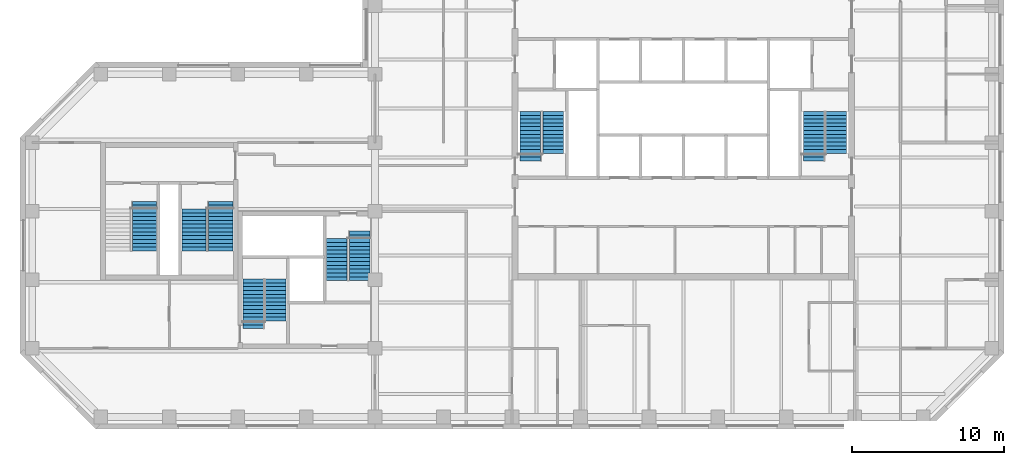
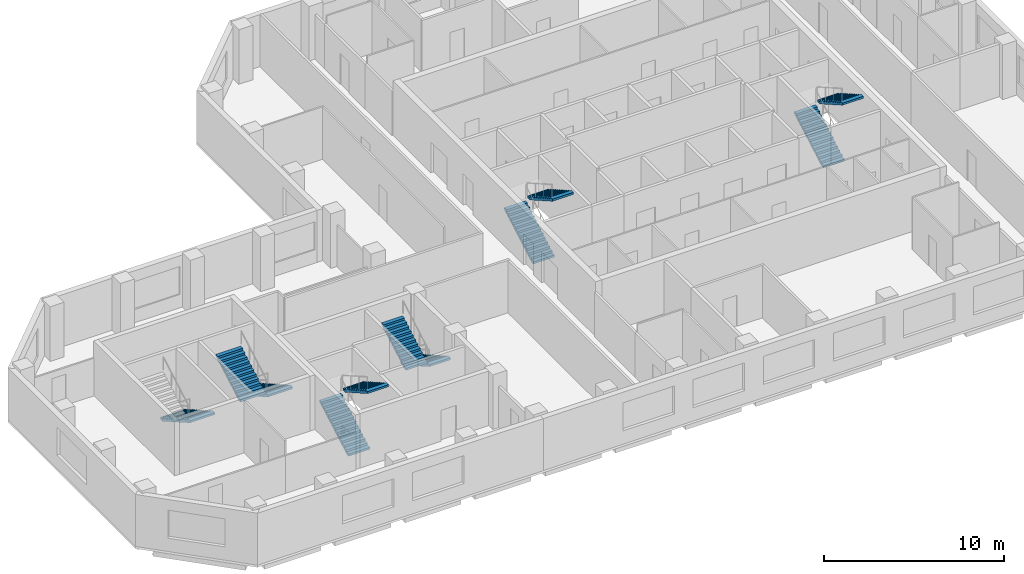
# One storey, part 8 of 9: 11 stair flights, 6 elements without a shape of their own.
"""IFC4 building model written with IfcOpenShell, lengths in metres."""

import ifcopenshell
import ifcopenshell.guid

model = None  # the IFC model being written
_history = None  # IfcOwnerHistory: only IFC2X3 demands one
_inside = {}  # id of a spatial element -> (the spatial element, [elements in it])
_under = {}  # id of a project, library or spatial element -> (it, [spatial elements below it])
_declared = {}  # id of a project -> (the project, [libraries it declares])
_typed = {}  # id of a type object -> (the type object, [elements of that type])
_made_of = {}  # id of a material, layer set ... -> (it, [elements and type objects made of it])


def new_model(schema):
    """Start an empty IFC model of exactly this schema.

    Asked for "IFC4X3", IfcOpenShell would pick the latest addendum, in which some entities
    have other attributes; the version numbers below select the first issue.
    IFC2X3 requires an IfcOwnerHistory on every rooted entity: one is made here for all.
    """
    global model, _history
    if schema == "IFC4X3":
        model = ifcopenshell.file(schema_version=(4, 3, 0, 0))
    else:
        model = ifcopenshell.file(schema=schema)
    _inside.clear()
    _under.clear()
    _declared.clear()
    _typed.clear()
    _made_of.clear()
    _history = None
    if model.schema == "IFC2X3":
        org = make("IfcOrganization", Name="unknown")
        user = make(
            "IfcPersonAndOrganization",
            ThePerson=make("IfcPerson", FamilyName="unknown"),
            TheOrganization=org,
        )
        app = make(
            "IfcApplication",
            ApplicationDeveloper=org,
            Version="unknown",
            ApplicationFullName="unknown",
            ApplicationIdentifier="unknown",
        )
        _history = make(
            "IfcOwnerHistory",
            OwningUser=user,
            OwningApplication=app,
            ChangeAction="ADDED",
            CreationDate=0,
        )
    return model


def make(cls, **values):
    """One entity of the class cls with the attributes given. An attribute that is None is left unset."""
    return model.create_entity(
        cls, **{name: value for name, value in values.items() if value is not None}
    )


def rooted(cls, **values):
    """An entity with a GlobalId (a new one), such as an element, a storey or a relation."""
    return make(cls, GlobalId=ifcopenshell.guid.new(), OwnerHistory=_history, **values)


def si_unit(unit_type, name, prefix=None):
    """IfcSIUnit, for example si_unit("LENGTHUNIT", "METRE", prefix="MILLI")."""
    return make("IfcSIUnit", UnitType=unit_type, Prefix=prefix, Name=name)


def assignment(units):
    """IfcUnitAssignment: the units of a project."""
    return None if units is None else make("IfcUnitAssignment", Units=units)


def point(xyz):
    """IfcCartesianPoint."""
    return None if xyz is None else make("IfcCartesianPoint", Coordinates=xyz)


def direction(xyz):
    """IfcDirection."""
    return None if xyz is None else make("IfcDirection", DirectionRatios=xyz)


def frame(location, z_axis=None, x_axis=None):
    """IfcAxis2Placement3D, a coordinate frame: its origin and axes. An axis left out is left unset."""
    return make(
        "IfcAxis2Placement3D",
        Location=point(location),
        Axis=direction(z_axis),
        RefDirection=direction(x_axis),
    )


def origin():
    """The frame at (0, 0, 0) with its axes left unset."""
    return frame((0.0, 0.0, 0.0))


def place(relative_to, where):
    """IfcLocalPlacement: puts the frame where relative to a parent placement (None: the world)."""
    return make(
        "IfcLocalPlacement", PlacementRelTo=relative_to, RelativePlacement=where
    )


def context(
    kind, dimensions, precision=None, world=None, true_north=None, identifier=None
):
    """IfcGeometricRepresentationContext, for example the 3D "Model" context."""
    return make(
        "IfcGeometricRepresentationContext",
        ContextIdentifier=identifier,
        ContextType=kind,
        CoordinateSpaceDimension=dimensions,
        Precision=precision,
        WorldCoordinateSystem=world,
        TrueNorth=true_north,
    )


def subcontext(parent, identifier, kind, view, scale=None):
    """IfcGeometricRepresentationSubContext, for example "Body" below "Model"."""
    return make(
        "IfcGeometricRepresentationSubContext",
        ContextIdentifier=identifier,
        ContextType=kind,
        ParentContext=parent,
        TargetScale=scale,
        TargetView=view,
    )


def project(units=None, contexts=None):
    """IfcProject with its units and contexts."""
    return rooted(
        "IfcProject",
        Name="project",
        RepresentationContexts=contexts,
        UnitsInContext=assignment(units),
    )


def spatial(cls, under=None, at=None, **own):
    """A site, building, storey or space (cls), placed at a placement, below another one or the project."""
    s = rooted(cls, ObjectPlacement=at, **own)
    if under is not None:
        _under.setdefault(under.id(), (under, []))[1].append(s)
    return s


def polyline(points):
    """IfcPolyline through the points."""
    return make("IfcPolyline", Points=[point(p) for p in points])


def outline(outer, holes=None, kind="AREA"):
    """IfcArbitraryClosedProfileDef: a profile drawn as a closed curve; with holes, ...WithVoids."""
    if holes is None:
        return make("IfcArbitraryClosedProfileDef", ProfileType=kind, OuterCurve=outer)
    return make(
        "IfcArbitraryProfileDefWithVoids",
        ProfileType=kind,
        OuterCurve=outer,
        InnerCurves=holes,
    )


def extrude(swept, where, along, depth):
    """IfcExtrudedAreaSolid: the profile swept, set in the frame where, extruded along a direction by depth."""
    return make(
        "IfcExtrudedAreaSolid",
        SweptArea=swept,
        Position=where,
        ExtrudedDirection=direction(along),
        Depth=depth,
    )


def shape(context_of_items, identifier, shape_type, items):
    """IfcShapeRepresentation: the items that make up one representation, for example the "Body"."""
    return make(
        "IfcShapeRepresentation",
        ContextOfItems=context_of_items,
        RepresentationIdentifier=identifier,
        RepresentationType=shape_type,
        Items=items,
    )


def material(Name=None, Category=None):
    """IfcMaterial."""
    return make("IfcMaterial", Name=Name, Category=Category)


def made_of(thing, what):
    """Note that an element or type object is made of a material, layer set ...; save() writes the relation."""
    if what is not None:
        _made_of.setdefault(what.id(), (what, []))[1].append(thing)
    return thing


def type_object(cls, material=None, **own):
    """A type object (cls), such as IfcWallType, which elements share."""
    return made_of(rooted(cls, **own), material)


def element(
    cls,
    number,
    at=None,
    inside=None,
    cuts=None,
    type_object=None,
    material=None,
    context=None,
    identifier="Body",
    shape_type=None,
    held_by="IfcProductDefinitionShape",
    body=None,
    shapes=None,
    **own,
):
    """One element of the class cls, such as IfcWall. Its Tag is "e" and its number.

    at: its placement. inside: the storey or other place that contains it. cuts: it is an
    opening in that element (IfcRelVoidsElement). A single representation is given by context,
    identifier, shape_type and body (its items); several are given by shapes. held_by: the class
    of the entity that holds the representations. save() writes the other relations.
    """
    e = rooted(cls, Tag="e%d" % number, ObjectPlacement=at, **own)
    if body is not None:
        shapes = [shape(context, identifier, shape_type, body)]
    if shapes is not None:
        e.Representation = make(held_by, Representations=shapes)
    if inside is not None:
        _inside.setdefault(inside.id(), (inside, []))[1].append(e)
    if cuts is not None:
        rooted(
            "IfcRelVoidsElement", RelatingBuildingElement=cuts, RelatedOpeningElement=e
        )
    if type_object is not None:
        _typed.setdefault(type_object.id(), (type_object, []))[1].append(e)
    return made_of(e, material)


def aggregate(whole, parts):
    """IfcRelAggregates: a whole, such as a stair, and the parts it consists of."""
    return rooted("IfcRelAggregates", RelatingObject=whole, RelatedObjects=parts)


def save(model, path):
    """Write the relations noted so far, then the file.

    IfcRelAggregates (storeys below a building ...), IfcRelContainedInSpatialStructure (elements
    in a storey), IfcRelDefinesByType, IfcRelAssociatesMaterial and IfcRelDeclares: one each for
    every whole, place, type object, material and project.
    """
    for whole, parts in _under.values():
        aggregate(whole, parts)
    for where, things in _inside.values():
        rooted(
            "IfcRelContainedInSpatialStructure",
            RelatedElements=things,
            RelatingStructure=where,
        )
    for kind, things in _typed.values():
        rooted("IfcRelDefinesByType", RelatedObjects=things, RelatingType=kind)
    for what, things in _made_of.values():
        rooted("IfcRelAssociatesMaterial", RelatedObjects=things, RelatingMaterial=what)
    for by, libraries in _declared.values():
        rooted("IfcRelDeclares", RelatingContext=by, RelatedDefinitions=libraries)
    model.write(path)


model = new_model("IFC4")

# Units and contexts
model_context = context("Model", 3, precision=1e-05, world=origin(), true_north=direction((0.0, 1.0)))
body_context = subcontext(model_context, "Body", "Model", "MODEL_VIEW")
ifc_project = project(units=[si_unit("LENGTHUNIT", "METRE"), si_unit("AREAUNIT", "SQUARE_METRE"), si_unit("VOLUMEUNIT", "CUBIC_METRE"), si_unit("PLANEANGLEUNIT", "RADIAN"), si_unit("MASSUNIT", "GRAM", prefix="KILO")], contexts=[model_context])

# Site, building, storey
site_placement = place(None, origin())
site = spatial("IfcSite", under=ifc_project, at=site_placement, CompositionType="ELEMENT")
building_placement = place(site_placement, origin())
building = spatial("IfcBuilding", under=site, at=building_placement, Name="Quoin Convention Tower", CompositionType="ELEMENT")
storey_placement = place(building_placement, frame((0.0, 0.0, 223.0)))
storey = spatial("IfcBuildingStorey", under=building, at=storey_placement, Name="L58", CompositionType="ELEMENT", Elevation=223.0)

# Stair, stair flights
ifc_material = material(Name="Concrete C40", Category="concrete")
stair_type_1 = type_object("IfcStairType", Name="Exit stair two-flight 1350", PredefinedType="HALF_TURN_STAIR", material=ifc_material)
stair_1_placement = place(storey_placement, origin())
stair_1 = element("IfcStair", 1, at=stair_1_placement, inside=storey, type_object=stair_type_1, Name="SD1 L58", PredefinedType="HALF_TURN_STAIR")
stair_flight_type_1 = type_object("IfcStairFlightType", Name="Stair flight 1350", PredefinedType="STRAIGHT", material=ifc_material)
stair_flight_1_placement = place(storey_placement, frame((46.199951171875, 57.300048828125, 0.0), z_axis=(0.0, 0.0, 1.0), x_axis=(0.0, 1.0, 0.0)))
stair_flight_1 = element("IfcStairFlight", 2, at=stair_flight_1_placement, type_object=stair_flight_type_1, Name="ST1 flight 1", NumberOfRisers=14, NumberOfTreads=13, PredefinedType="STRAIGHT", RiserHeight=0.142307692, TreadLength=0.25, context=body_context, shape_type="SweptSolid", body=[
    extrude(outline(polyline([(0.0, 0.0), (0.0, 0.142333984375), (0.25, 0.142333984375), (0.25, 0.28466796875), (0.5, 0.28466796875), (0.5, 0.427001953125), (0.75, 0.427001953125), (0.75, 0.5693359375), (1.0, 0.5693359375), (1.0, 0.71142578125), (1.25, 0.71142578125), (1.25, 0.853759765625), (1.5, 0.853759765625), (1.5, 0.99609375), (1.75, 0.99609375), (1.75, 1.138427734375), (2.0, 1.138427734375), (2.0, 1.28076171875), (2.25, 1.28076171875), (2.25, 1.423095703125), (2.5, 1.423095703125), (2.5, 1.5654296875), (2.75, 1.5654296875), (2.75, 1.707763671875), (3.0, 1.707763671875), (3.0, 1.85009765625), (3.25, 1.85009765625), (3.25, 1.9921875), (3.25, 1.711669921875), (0.242919921875, 0.0), (0.0, 0.0)])), frame((0.0, 0.675048828125, 0.0), z_axis=(0.0, -1.0, 0.0), x_axis=(1.0, 0.0, 0.0)), (0.0, 0.0, 1.0), 1.35009765625),
])
stair_flight_2_placement = place(storey_placement, frame((47.699951171875, 60.550048828125, 1.9921875), z_axis=(0.0, 0.0, 1.0), x_axis=(0.0, -1.0, 0.0)))
stair_flight_2 = element("IfcStairFlight", 3, at=stair_flight_2_placement, type_object=stair_flight_type_1, Name="ST1 flight 2", NumberOfRisers=12, NumberOfTreads=11, PredefinedType="STRAIGHT", RiserHeight=0.142307692, TreadLength=0.25, context=body_context, shape_type="SweptSolid", body=[
    extrude(outline(polyline([(0.0, 0.0), (0.0, 0.142333984375), (0.25, 0.142333984375), (0.25, 0.28466796875), (0.5, 0.28466796875), (0.5, 0.427001953125), (0.75, 0.427001953125), (0.75, 0.5693359375), (1.0, 0.5693359375), (1.0, 0.71142578125), (1.25, 0.71142578125), (1.25, 0.853759765625), (1.5, 0.853759765625), (1.5, 0.99609375), (1.75, 0.99609375), (1.75, 1.138427734375), (2.0, 1.138427734375), (2.0, 1.28076171875), (2.25, 1.28076171875), (2.25, 1.423095703125), (2.5, 1.423095703125), (2.5, 1.5654296875), (2.75, 1.5654296875), (2.75, 1.707763671875), (2.75, 1.42724609375), (0.242919921875, 0.0), (0.0, 0.0)])), frame((0.0, 0.675048828125, 0.0), z_axis=(0.0, -1.0, 0.0), x_axis=(1.0, 0.0, 0.0)), (0.0, 0.0, 1.0), 1.35009765625),
])
aggregate(stair_1, [stair_flight_1, stair_flight_2])

stair_2_placement = place(storey_placement, origin())
stair_2 = element("IfcStair", 4, at=stair_2_placement, inside=storey, type_object=stair_type_1, Name="SD2 L58", PredefinedType="HALF_TURN_STAIR")
stair_flight_3_placement = place(storey_placement, frame((64.800048828125, 57.300048828125, 0.0), z_axis=(0.0, 0.0, 1.0), x_axis=(0.0, 1.0, 0.0)))
stair_flight_3 = element("IfcStairFlight", 5, at=stair_flight_3_placement, type_object=stair_flight_type_1, Name="ST2 flight 1", NumberOfRisers=14, NumberOfTreads=13, PredefinedType="STRAIGHT", RiserHeight=0.142307692, TreadLength=0.25, context=body_context, shape_type="SweptSolid", body=[
    extrude(outline(polyline([(0.0, 0.0), (0.0, 0.142333984375), (0.25, 0.142333984375), (0.25, 0.28466796875), (0.5, 0.28466796875), (0.5, 0.427001953125), (0.75, 0.427001953125), (0.75, 0.5693359375), (1.0, 0.5693359375), (1.0, 0.71142578125), (1.25, 0.71142578125), (1.25, 0.853759765625), (1.5, 0.853759765625), (1.5, 0.99609375), (1.75, 0.99609375), (1.75, 1.138427734375), (2.0, 1.138427734375), (2.0, 1.28076171875), (2.25, 1.28076171875), (2.25, 1.423095703125), (2.5, 1.423095703125), (2.5, 1.5654296875), (2.75, 1.5654296875), (2.75, 1.707763671875), (3.0, 1.707763671875), (3.0, 1.85009765625), (3.25, 1.85009765625), (3.25, 1.9921875), (3.25, 1.711669921875), (0.242919921875, 0.0), (0.0, 0.0)])), frame((0.0, 0.675048828125, 0.0), z_axis=(0.0, -1.0, 0.0), x_axis=(1.0, 0.0, 0.0)), (0.0, 0.0, 1.0), 1.35009765625),
])
stair_flight_4_placement = place(storey_placement, frame((66.300048828125, 60.550048828125, 1.9921875), z_axis=(0.0, 0.0, 1.0), x_axis=(0.0, -1.0, 0.0)))
stair_flight_4 = element("IfcStairFlight", 6, at=stair_flight_4_placement, type_object=stair_flight_type_1, Name="ST2 flight 2", NumberOfRisers=12, NumberOfTreads=11, PredefinedType="STRAIGHT", RiserHeight=0.142307692, TreadLength=0.25, context=body_context, shape_type="SweptSolid", body=[
    extrude(outline(polyline([(0.0, 0.0), (0.0, 0.142333984375), (0.25, 0.142333984375), (0.25, 0.28466796875), (0.5, 0.28466796875), (0.5, 0.427001953125), (0.75, 0.427001953125), (0.75, 0.5693359375), (1.0, 0.5693359375), (1.0, 0.71142578125), (1.25, 0.71142578125), (1.25, 0.853759765625), (1.5, 0.853759765625), (1.5, 0.99609375), (1.75, 0.99609375), (1.75, 1.138427734375), (2.0, 1.138427734375), (2.0, 1.28076171875), (2.25, 1.28076171875), (2.25, 1.423095703125), (2.5, 1.423095703125), (2.5, 1.5654296875), (2.75, 1.5654296875), (2.75, 1.707763671875), (2.75, 1.42724609375), (0.242919921875, 0.0), (0.0, 0.0)])), frame((0.0, 0.675048828125, 0.0), z_axis=(0.0, -1.0, 0.0), x_axis=(1.0, 0.0, 0.0)), (0.0, 0.0, 1.0), 1.35009765625),
])
aggregate(stair_2, [stair_flight_3, stair_flight_4])

stair_3_placement = place(storey_placement, origin())
stair_3 = element("IfcStair", 7, at=stair_3_placement, inside=storey, type_object=stair_type_1, Name="SD3 L58", PredefinedType="HALF_TURN_STAIR")
stair_flight_5_placement = place(storey_placement, frame((28.0, 46.300048828125, 0.0), z_axis=(0.0, 0.0, 1.0), x_axis=(0.0, 1.0, 0.0)))
stair_flight_5 = element("IfcStairFlight", 8, at=stair_flight_5_placement, type_object=stair_flight_type_1, Name="ST3 flight 1", NumberOfRisers=14, NumberOfTreads=13, PredefinedType="STRAIGHT", RiserHeight=0.142307692, TreadLength=0.25, context=body_context, shape_type="SweptSolid", body=[
    extrude(outline(polyline([(0.0, 0.0), (0.0, 0.142333984375), (0.25, 0.142333984375), (0.25, 0.28466796875), (0.5, 0.28466796875), (0.5, 0.427001953125), (0.75, 0.427001953125), (0.75, 0.5693359375), (1.0, 0.5693359375), (1.0, 0.71142578125), (1.25, 0.71142578125), (1.25, 0.853759765625), (1.5, 0.853759765625), (1.5, 0.99609375), (1.75, 0.99609375), (1.75, 1.138427734375), (2.0, 1.138427734375), (2.0, 1.28076171875), (2.25, 1.28076171875), (2.25, 1.423095703125), (2.5, 1.423095703125), (2.5, 1.5654296875), (2.75, 1.5654296875), (2.75, 1.707763671875), (3.0, 1.707763671875), (3.0, 1.85009765625), (3.25, 1.85009765625), (3.25, 1.9921875), (3.25, 1.711669921875), (0.242919921875, 0.0), (0.0, 0.0)])), frame((0.0, 0.675048828125, 0.0), z_axis=(0.0, -1.0, 0.0), x_axis=(1.0, 0.0, 0.0)), (0.0, 0.0, 1.0), 1.35009765625),
])
stair_flight_6_placement = place(storey_placement, frame((29.5, 49.550048828125, 1.9921875), z_axis=(0.0, 0.0, 1.0), x_axis=(0.0, -1.0, 0.0)))
stair_flight_6 = element("IfcStairFlight", 9, at=stair_flight_6_placement, type_object=stair_flight_type_1, Name="ST3 flight 2", NumberOfRisers=12, NumberOfTreads=11, PredefinedType="STRAIGHT", RiserHeight=0.142307692, TreadLength=0.25, context=body_context, shape_type="SweptSolid", body=[
    extrude(outline(polyline([(0.0, 0.0), (0.0, 0.142333984375), (0.25, 0.142333984375), (0.25, 0.28466796875), (0.5, 0.28466796875), (0.5, 0.427001953125), (0.75, 0.427001953125), (0.75, 0.5693359375), (1.0, 0.5693359375), (1.0, 0.71142578125), (1.25, 0.71142578125), (1.25, 0.853759765625), (1.5, 0.853759765625), (1.5, 0.99609375), (1.75, 0.99609375), (1.75, 1.138427734375), (2.0, 1.138427734375), (2.0, 1.28076171875), (2.25, 1.28076171875), (2.25, 1.423095703125), (2.5, 1.423095703125), (2.5, 1.5654296875), (2.75, 1.5654296875), (2.75, 1.707763671875), (2.75, 1.42724609375), (0.242919921875, 0.0), (0.0, 0.0)])), frame((0.0, 0.675048828125, 0.0), z_axis=(0.0, -1.0, 0.0), x_axis=(1.0, 0.0, 0.0)), (0.0, 0.0, 1.0), 1.35009765625),
])
aggregate(stair_3, [stair_flight_5, stair_flight_6])

stair_4_placement = place(storey_placement, origin())
stair_4 = element("IfcStair", 10, at=stair_4_placement, inside=storey, type_object=stair_type_1, Name="SD4 L58", PredefinedType="HALF_TURN_STAIR")
stair_flight_7_placement = place(storey_placement, frame((35.0, 52.699951171875, 0.0), z_axis=(0.0, 0.0, 1.0), x_axis=(0.0, -1.0, 0.0)))
stair_flight_7 = element("IfcStairFlight", 11, at=stair_flight_7_placement, type_object=stair_flight_type_1, Name="ST4 flight 1", NumberOfRisers=14, NumberOfTreads=13, PredefinedType="STRAIGHT", RiserHeight=0.142307692, TreadLength=0.25, context=body_context, shape_type="SweptSolid", body=[
    extrude(outline(polyline([(0.0, 0.0), (0.0, 0.142333984375), (0.25, 0.142333984375), (0.25, 0.28466796875), (0.5, 0.28466796875), (0.5, 0.427001953125), (0.75, 0.427001953125), (0.75, 0.5693359375), (1.0, 0.5693359375), (1.0, 0.71142578125), (1.25, 0.71142578125), (1.25, 0.853759765625), (1.5, 0.853759765625), (1.5, 0.99609375), (1.75, 0.99609375), (1.75, 1.138427734375), (2.0, 1.138427734375), (2.0, 1.28076171875), (2.25, 1.28076171875), (2.25, 1.423095703125), (2.5, 1.423095703125), (2.5, 1.5654296875), (2.75, 1.5654296875), (2.75, 1.707763671875), (3.0, 1.707763671875), (3.0, 1.85009765625), (3.25, 1.85009765625), (3.25, 1.9921875), (3.25, 1.711669921875), (0.242919921875, 0.0), (0.0, 0.0)])), frame((0.0, 0.675048828125, 0.0), z_axis=(0.0, -1.0, 0.0), x_axis=(1.0, 0.0, 0.0)), (0.0, 0.0, 1.0), 1.35009765625),
])
stair_flight_8_placement = place(storey_placement, frame((33.5, 49.449951171875, 1.9921875), z_axis=(0.0, 0.0, 1.0), x_axis=(0.0, 1.0, 0.0)))
stair_flight_8 = element("IfcStairFlight", 12, at=stair_flight_8_placement, type_object=stair_flight_type_1, Name="ST4 flight 2", NumberOfRisers=12, NumberOfTreads=11, PredefinedType="STRAIGHT", RiserHeight=0.142307692, TreadLength=0.25, context=body_context, shape_type="SweptSolid", body=[
    extrude(outline(polyline([(0.0, 0.0), (0.0, 0.142333984375), (0.25, 0.142333984375), (0.25, 0.28466796875), (0.5, 0.28466796875), (0.5, 0.427001953125), (0.75, 0.427001953125), (0.75, 0.5693359375), (1.0, 0.5693359375), (1.0, 0.71142578125), (1.25, 0.71142578125), (1.25, 0.853759765625), (1.5, 0.853759765625), (1.5, 0.99609375), (1.75, 0.99609375), (1.75, 1.138427734375), (2.0, 1.138427734375), (2.0, 1.28076171875), (2.25, 1.28076171875), (2.25, 1.423095703125), (2.5, 1.423095703125), (2.5, 1.5654296875), (2.75, 1.5654296875), (2.75, 1.707763671875), (2.75, 1.42724609375), (0.242919921875, 0.0), (0.0, 0.0)])), frame((0.0, 0.675048828125, 0.0), z_axis=(0.0, -1.0, 0.0), x_axis=(1.0, 0.0, 0.0)), (0.0, 0.0, 1.0), 1.35009765625),
])
aggregate(stair_4, [stair_flight_7, stair_flight_8])

# Stair, stair flight
stair_type_2 = type_object("IfcStairType", Name="Exit stair two-flight 1600", PredefinedType="HALF_TURN_STAIR", material=ifc_material)
stair_5_placement = place(storey_placement, origin())
stair_5 = element("IfcStair", 13, at=stair_5_placement, inside=storey, type_object=stair_type_2, Name="SD11 L58", PredefinedType="HALF_TURN_STAIR")
stair_flight_type_2 = type_object("IfcStairFlightType", Name="Stair flight 1600", PredefinedType="STRAIGHT", material=ifc_material)
stair_flight_9_placement = place(storey_placement, frame((20.875, 54.64990234375, 0.0), z_axis=(0.0, 0.0, 1.0), x_axis=(0.0, -1.0, 0.0)))
stair_flight_9 = element("IfcStairFlight", 14, at=stair_flight_9_placement, type_object=stair_flight_type_2, Name="ST11 flight 1", NumberOfRisers=14, NumberOfTreads=13, PredefinedType="STRAIGHT", RiserHeight=0.142307692, TreadLength=0.25, context=body_context, shape_type="SweptSolid", body=[
    extrude(outline(polyline([(0.0, 0.0), (0.0, 0.142333984375), (0.25, 0.142333984375), (0.25, 0.28466796875), (0.5, 0.28466796875), (0.5, 0.427001953125), (0.75, 0.427001953125), (0.75, 0.5693359375), (1.0, 0.5693359375), (1.0, 0.71142578125), (1.25, 0.71142578125), (1.25, 0.853759765625), (1.5, 0.853759765625), (1.5, 0.99609375), (1.75, 0.99609375), (1.75, 1.138427734375), (2.0, 1.138427734375), (2.0, 1.28076171875), (2.25, 1.28076171875), (2.25, 1.423095703125), (2.5, 1.423095703125), (2.5, 1.5654296875), (2.75, 1.5654296875), (2.75, 1.707763671875), (3.0, 1.707763671875), (3.0, 1.85009765625), (3.25, 1.85009765625), (3.25, 1.9921875), (3.25, 1.711669921875), (0.242919921875, 0.0), (0.0, 0.0)])), frame((0.0, 0.800048828125, 0.0), z_axis=(0.0, -1.0, 0.0), x_axis=(1.0, 0.0, 0.0)), (0.0, 0.0, 1.0), 1.60009765625),
])
aggregate(stair_5, [stair_flight_9])

# Stair, stair flights
stair_6_placement = place(storey_placement, origin())
stair_6 = element("IfcStair", 15, at=stair_6_placement, inside=storey, type_object=stair_type_2, Name="SD12 L58", PredefinedType="HALF_TURN_STAIR")
stair_flight_10_placement = place(storey_placement, frame((25.875, 54.64990234375, 0.0), z_axis=(0.0, 0.0, 1.0), x_axis=(0.0, -1.0, 0.0)))
stair_flight_10 = element("IfcStairFlight", 16, at=stair_flight_10_placement, type_object=stair_flight_type_2, Name="ST12 flight 1", NumberOfRisers=14, NumberOfTreads=13, PredefinedType="STRAIGHT", RiserHeight=0.142307692, TreadLength=0.25, context=body_context, shape_type="SweptSolid", body=[
    extrude(outline(polyline([(0.0, 0.0), (0.0, 0.142333984375), (0.25, 0.142333984375), (0.25, 0.28466796875), (0.5, 0.28466796875), (0.5, 0.427001953125), (0.75, 0.427001953125), (0.75, 0.5693359375), (1.0, 0.5693359375), (1.0, 0.71142578125), (1.25, 0.71142578125), (1.25, 0.853759765625), (1.5, 0.853759765625), (1.5, 0.99609375), (1.75, 0.99609375), (1.75, 1.138427734375), (2.0, 1.138427734375), (2.0, 1.28076171875), (2.25, 1.28076171875), (2.25, 1.423095703125), (2.5, 1.423095703125), (2.5, 1.5654296875), (2.75, 1.5654296875), (2.75, 1.707763671875), (3.0, 1.707763671875), (3.0, 1.85009765625), (3.25, 1.85009765625), (3.25, 1.9921875), (3.25, 1.711669921875), (0.242919921875, 0.0), (0.0, 0.0)])), frame((0.0, 0.800048828125, 0.0), z_axis=(0.0, -1.0, 0.0), x_axis=(1.0, 0.0, 0.0)), (0.0, 0.0, 1.0), 1.60009765625),
])
stair_flight_11_placement = place(storey_placement, frame((24.125, 51.39990234375, 1.9921875), z_axis=(0.0, 0.0, 1.0), x_axis=(0.0, 1.0, 0.0)))
stair_flight_11 = element("IfcStairFlight", 17, at=stair_flight_11_placement, type_object=stair_flight_type_2, Name="ST12 flight 2", NumberOfRisers=12, NumberOfTreads=11, PredefinedType="STRAIGHT", RiserHeight=0.142307692, TreadLength=0.25, context=body_context, shape_type="SweptSolid", body=[
    extrude(outline(polyline([(0.0, 0.0), (0.0, 0.142333984375), (0.25, 0.142333984375), (0.25, 0.28466796875), (0.5, 0.28466796875), (0.5, 0.427001953125), (0.75, 0.427001953125), (0.75, 0.5693359375), (1.0, 0.5693359375), (1.0, 0.71142578125), (1.25, 0.71142578125), (1.25, 0.853759765625), (1.5, 0.853759765625), (1.5, 0.99609375), (1.75, 0.99609375), (1.75, 1.138427734375), (2.0, 1.138427734375), (2.0, 1.28076171875), (2.25, 1.28076171875), (2.25, 1.423095703125), (2.5, 1.423095703125), (2.5, 1.5654296875), (2.75, 1.5654296875), (2.75, 1.707763671875), (2.75, 1.42724609375), (0.242919921875, 0.0), (0.0, 0.0)])), frame((0.0, 0.800048828125, 0.0), z_axis=(0.0, -1.0, 0.0), x_axis=(1.0, 0.0, 0.0)), (0.0, 0.0, 1.0), 1.60009765625),
])
aggregate(stair_6, [stair_flight_10, stair_flight_11])

save(model, "model.ifc")
